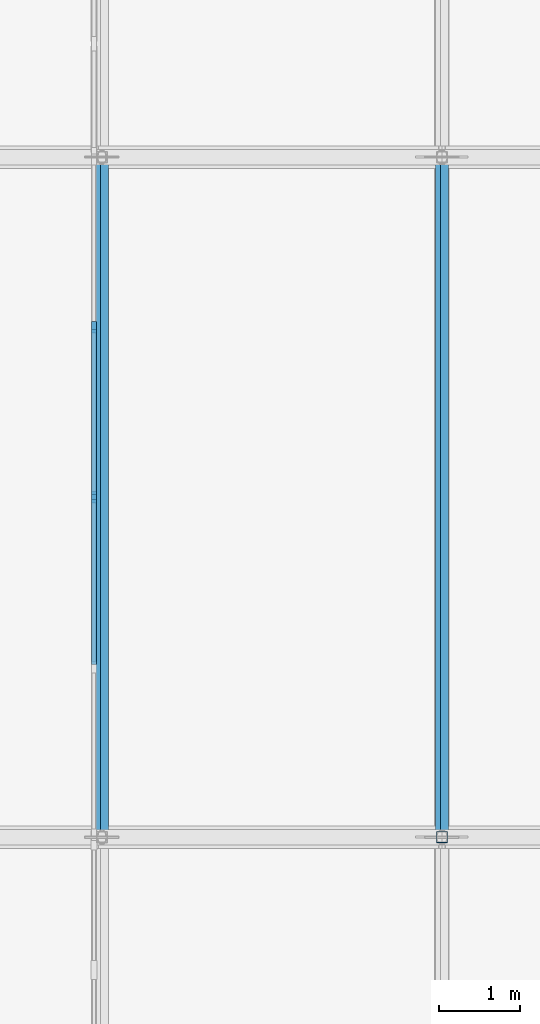
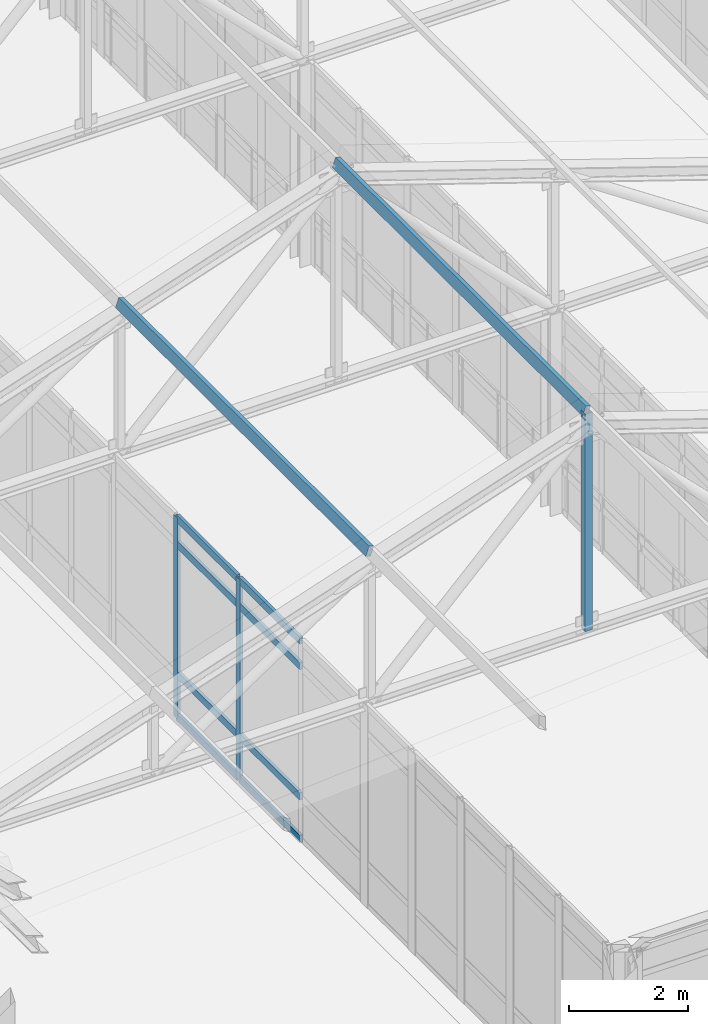
# One storey, part 42 of 192: 13 members, 1 element without a shape of its own.
"""IFC4 building model written with IfcOpenShell, lengths in metres."""

from ifc_helpers import new_model, si_unit, direction, frame, origin, origin_2d, place, context, subcontext, project, spatial, rectangle, hollow_rectangle, extrude, material, layer, layer_set, material_profile, profile_set, type_object, element, aggregate, save


model = new_model("IFC4")

# Units and contexts
model_context = context("Model", 3, precision=1e-05, world=origin(), true_north=direction((0.0, 1.0)))
body_context = subcontext(model_context, "Body", "Model", "MODEL_VIEW")
ifc_project = project(units=[si_unit("LENGTHUNIT", "METRE"), si_unit("AREAUNIT", "SQUARE_METRE"), si_unit("VOLUMEUNIT", "CUBIC_METRE"), si_unit("PLANEANGLEUNIT", "RADIAN"), si_unit("MASSUNIT", "GRAM", prefix="KILO")], contexts=[model_context])

# Site, building, storey
site_placement = place(None, origin())
site = spatial("IfcSite", under=ifc_project, at=site_placement, CompositionType="ELEMENT")
building_placement = place(site_placement, origin())
building = spatial("IfcBuilding", under=site, at=building_placement, Name="Kveldsbrygga Polytechnic", CompositionType="ELEMENT")
storey_placement = place(building_placement, frame((0.0, 0.0, 5.43994140625)))
storey = spatial("IfcBuildingStorey", under=building, at=storey_placement, Name="L01", CompositionType="ELEMENT", Elevation=5.43994140625)

# Curtain wall, members
ifc_material_1 = material(Name="Anodised aluminium AW-6060", Category="aluminium")
ifc_layer = layer(ifc_material_1, 0.199951171875)
ifc_layer_set = layer_set([ifc_layer], Name="Anodised aluminium AW-6060")
curtain_wall_type = type_object("IfcCurtainWallType", Name="CW-LANC-E", PredefinedType="USERDEFINED", material=ifc_layer_set)
curtain_wall_placement = place(storey_placement, origin())
curtain_wall = element("IfcCurtainWall", 1, at=curtain_wall_placement, inside=storey, type_object=curtain_wall_type, Name="Curtain Wall CW-L01-Y-07-03", ObjectType="UNITISED CURTAIN WALL", PredefinedType="USERDEFINED")
ifc_material_profile_1 = material_profile(ifc_material_1, rectangle(XDim=0.06005859375, YDim=0.139892578125, at=origin_2d()), Name="ALU 60x140")
ifc_profile_set_1 = profile_set([ifc_material_profile_1], Name="Anodised aluminium AW-6060")
member_type_1 = type_object("IfcMemberType", Name="CW-MUL-140", PredefinedType="MULLION", material=ifc_profile_set_1)
member_1_placement = place(storey_placement, frame((58.699951171875, 29.39990234375, 0.0), z_axis=(0.0, 0.0, 1.0), x_axis=(-1.0, 0.0, 0.0)))
member_1 = element("IfcMember", 2, at=member_1_placement, type_object=member_type_1, Name="CW-05 mullion 3", PredefinedType="MULLION", context=body_context, shape_type="SweptSolid", body=[
    extrude(rectangle(XDim=0.06005859375, YDim=0.139892578125, at=origin_2d()), origin(), (0.0, 0.0, 1.0), 4.1201171875),
])
member_2_placement = place(storey_placement, frame((58.699951171875, 31.5, 0.0), z_axis=(0.0, 0.0, 1.0), x_axis=(-1.0, 0.0, 0.0)))
member_2 = element("IfcMember", 3, at=member_2_placement, type_object=member_type_1, Name="CW-05 mullion 4", PredefinedType="MULLION", context=body_context, shape_type="SweptSolid", body=[
    extrude(rectangle(XDim=0.06005859375, YDim=0.139892578125, at=origin_2d()), origin(), (0.0, 0.0, 1.0), 4.1201171875),
])
ifc_material_profile_2 = material_profile(ifc_material_1, rectangle(XDim=0.06005859375, YDim=0.14990234375, at=origin_2d()), Name="ALU 60x150")
ifc_profile_set_2 = profile_set([ifc_material_profile_2], Name="Anodised aluminium AW-6060")
member_type_2 = type_object("IfcMemberType", Name="CW-TRN-150", PredefinedType="USERDEFINED", material=ifc_profile_set_2)
member_3_placement = place(storey_placement, frame((58.699951171875, 27.330078125, 0.030029296875), z_axis=(0.0, 1.0, 0.0), x_axis=(-1.0, 0.0, 0.0)))
member_3 = element("IfcMember", 4, at=member_3_placement, type_object=member_type_2, Name="CW-05 transom 2.1", ObjectType="TRANSOM", PredefinedType="USERDEFINED", context=body_context, shape_type="SweptSolid", body=[
    extrude(rectangle(XDim=0.06005859375, YDim=0.14990234375, at=origin_2d()), origin(), (0.0, 0.0, 1.0), 2.0400390625),
])
member_4_placement = place(storey_placement, frame((58.699951171875, 27.330078125, 0.900146484375), z_axis=(0.0, 1.0, 0.0), x_axis=(-1.0, 0.0, 0.0)))
member_4 = element("IfcMember", 5, at=member_4_placement, type_object=member_type_2, Name="CW-05 transom 2.2", ObjectType="TRANSOM", PredefinedType="USERDEFINED", context=body_context, shape_type="SweptSolid", body=[
    extrude(rectangle(XDim=0.06005859375, YDim=0.14990234375, at=origin_2d()), origin(), (0.0, 0.0, 1.0), 2.0400390625),
])
member_5_placement = place(storey_placement, frame((58.699951171875, 27.330078125, 3.570068359375), z_axis=(0.0, 1.0, 0.0), x_axis=(-1.0, 0.0, 0.0)))
member_5 = element("IfcMember", 6, at=member_5_placement, type_object=member_type_2, Name="CW-05 transom 2.3", ObjectType="TRANSOM", PredefinedType="USERDEFINED", context=body_context, shape_type="SweptSolid", body=[
    extrude(rectangle(XDim=0.06005859375, YDim=0.14990234375, at=origin_2d()), origin(), (0.0, 0.0, 1.0), 2.0400390625),
])
member_6_placement = place(storey_placement, frame((58.699951171875, 27.330078125, 4.090087890625), z_axis=(0.0, 1.0, 0.0), x_axis=(-1.0, 0.0, 0.0)))
member_6 = element("IfcMember", 7, at=member_6_placement, type_object=member_type_2, Name="CW-05 transom 2.4", ObjectType="TRANSOM", PredefinedType="USERDEFINED", context=body_context, shape_type="SweptSolid", body=[
    extrude(rectangle(XDim=0.06005859375, YDim=0.14990234375, at=origin_2d()), origin(), (0.0, 0.0, 1.0), 2.0400390625),
])
member_7_placement = place(storey_placement, frame((58.699951171875, 29.429931640625, 0.030029296875), z_axis=(0.0, 1.0, 0.0), x_axis=(-1.0, 0.0, 0.0)))
member_7 = element("IfcMember", 8, at=member_7_placement, type_object=member_type_2, Name="CW-05 transom 3.1", ObjectType="TRANSOM", PredefinedType="USERDEFINED", context=body_context, shape_type="SweptSolid", body=[
    extrude(rectangle(XDim=0.06005859375, YDim=0.14990234375, at=origin_2d()), origin(), (0.0, 0.0, 1.0), 2.0400390625),
])
member_8_placement = place(storey_placement, frame((58.699951171875, 29.429931640625, 0.900146484375), z_axis=(0.0, 1.0, 0.0), x_axis=(-1.0, 0.0, 0.0)))
member_8 = element("IfcMember", 9, at=member_8_placement, type_object=member_type_2, Name="CW-05 transom 3.2", ObjectType="TRANSOM", PredefinedType="USERDEFINED", context=body_context, shape_type="SweptSolid", body=[
    extrude(rectangle(XDim=0.06005859375, YDim=0.14990234375, at=origin_2d()), origin(), (0.0, 0.0, 1.0), 2.0400390625),
])
member_9_placement = place(storey_placement, frame((58.699951171875, 29.429931640625, 3.570068359375), z_axis=(0.0, 1.0, 0.0), x_axis=(-1.0, 0.0, 0.0)))
member_9 = element("IfcMember", 10, at=member_9_placement, type_object=member_type_2, Name="CW-05 transom 3.3", ObjectType="TRANSOM", PredefinedType="USERDEFINED", context=body_context, shape_type="SweptSolid", body=[
    extrude(rectangle(XDim=0.06005859375, YDim=0.14990234375, at=origin_2d()), origin(), (0.0, 0.0, 1.0), 2.0400390625),
])
member_10_placement = place(storey_placement, frame((58.699951171875, 29.429931640625, 4.090087890625), z_axis=(0.0, 1.0, 0.0), x_axis=(-1.0, 0.0, 0.0)))
member_10 = element("IfcMember", 11, at=member_10_placement, type_object=member_type_2, Name="CW-05 transom 3.4", ObjectType="TRANSOM", PredefinedType="USERDEFINED", context=body_context, shape_type="SweptSolid", body=[
    extrude(rectangle(XDim=0.06005859375, YDim=0.14990234375, at=origin_2d()), origin(), (0.0, 0.0, 1.0), 2.0400390625),
])
aggregate(curtain_wall, [member_1, member_2, member_3, member_4, member_5, member_6, member_7, member_8, member_9, member_10])

# Members
ifc_material_2 = material(Name="Steel S355", Category="steel")
ifc_material_profile_3 = material_profile(ifc_material_2, hollow_rectangle(XDim=0.10009765625, YDim=0.199951171875, WallThickness=0.010009765625, at=origin_2d()), Name="RHS 200x100x10.0")
ifc_profile_set_3 = profile_set([ifc_material_profile_3], Name="Steel S355")
member_type_3 = type_object("IfcMemberType", Name="PRL-RHS200", PredefinedType="PURLIN", material=ifc_profile_set_3)
for number, where, z_axis, x_axis, name in (
    (12, (58.800048828125, 25.199951171875, 7.173095703125), (0.0, 1.0, 0.0), (-0.948683567514, 0.0, 0.316226957624), "Roof Purlin V5C-PRL-3-2"),
    (13, (63.0, 25.199951171875, 8.572998046875), (0.0, 1.0, 0.0), (-0.948683567514, 0.0, 0.316226957624), "Roof Purlin V5C-PRL-3-3"),
):
    element("IfcMember", number, at=place(storey_placement, frame(where, z_axis=z_axis, x_axis=x_axis)), inside=storey, type_object=member_type_3, Name=name, PredefinedType="PURLIN", context=body_context, shape_type="SweptSolid", body=[
        extrude(hollow_rectangle(XDim=0.10009765625, YDim=0.199951171875, WallThickness=0.010009765625, at=origin_2d()), origin(), (0.0, 0.0, 1.0), 8.400146484375),
    ])
ifc_material_profile_4 = material_profile(ifc_material_2, hollow_rectangle(XDim=0.139892578125, YDim=0.139892578125, WallThickness=0.008056640625, at=origin_2d()), Name="SHS 140x140x8.0")
ifc_profile_set_4 = profile_set([ifc_material_profile_4], Name="Steel S355")
member_type_4 = type_object("IfcMemberType", Name="TR-POST-SHS140", PredefinedType="STRUT", material=ifc_profile_set_4)
member_11_placement = place(storey_placement, frame((63.0, 25.199951171875, 4.1201171875), z_axis=(0.0, 0.0, 1.0), x_axis=(1.0, 0.0, 0.0)))
element("IfcMember", 14, at=member_11_placement, inside=storey, type_object=member_type_4, Name="Truss Vertical V5C-T03-VT-3", PredefinedType="STRUT", context=body_context, shape_type="SweptSolid", body=[
    extrude(hollow_rectangle(XDim=0.139892578125, YDim=0.139892578125, WallThickness=0.008056640625, at=origin_2d()), origin(), (0.0, 0.0, 1.0), 4.452880859375),
])

save(model, "model.ifc")
